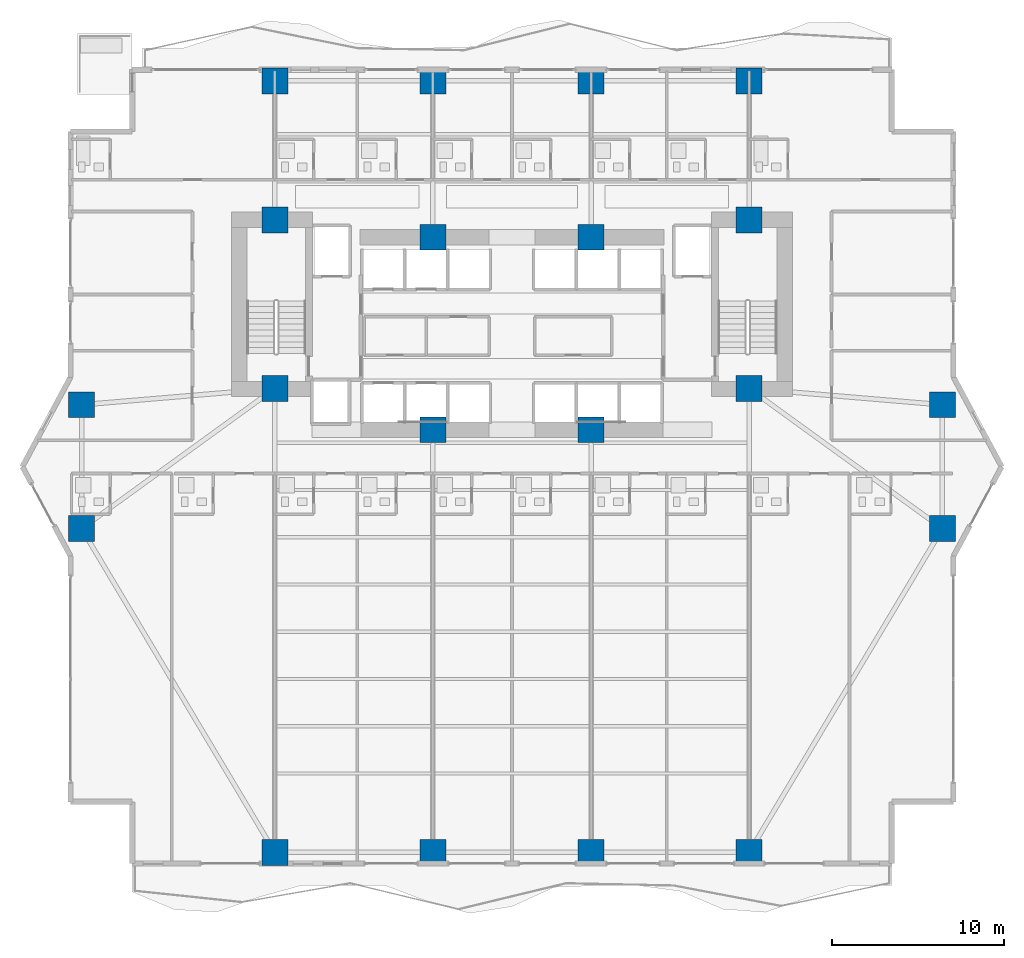
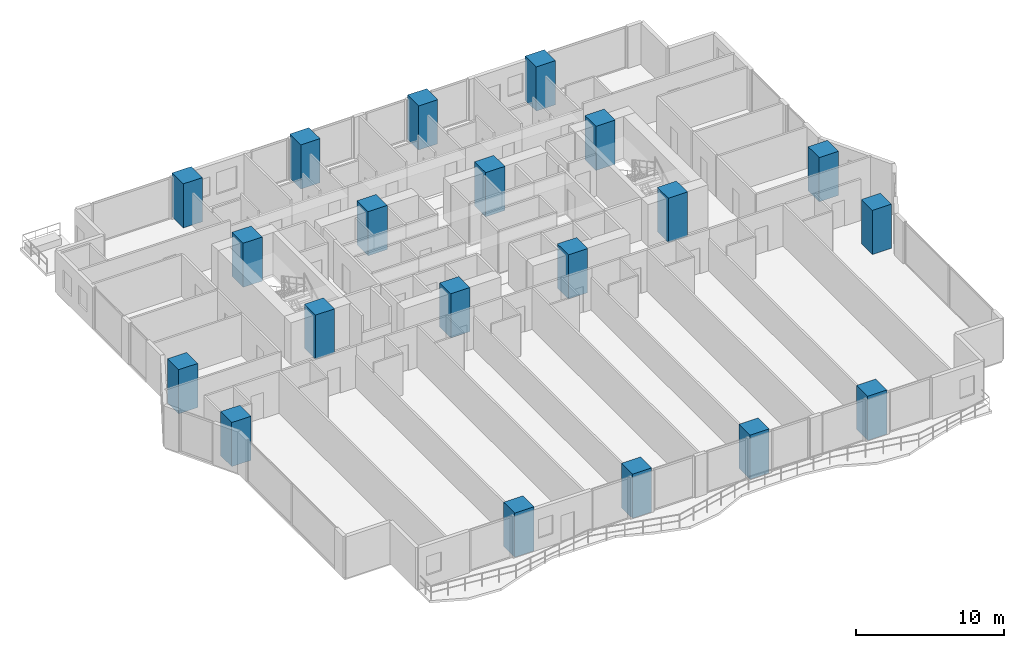
# One storey, part 1 of 29: 20 columns.
"""IFC4 building model written with IfcOpenShell, lengths in metres."""

from ifc_helpers import new_model, si_unit, direction, frame, origin, origin_2d, place, context, subcontext, project, spatial, rectangle, extrude, material, material_profile, profile_set, type_object, element, save


model = new_model("IFC4")

# Units and contexts
model_context = context("Model", 3, precision=1e-05, world=origin(), true_north=direction((0.0, 1.0)))
body_context = subcontext(model_context, "Body", "Model", "MODEL_VIEW")
ifc_project = project(units=[si_unit("LENGTHUNIT", "METRE"), si_unit("AREAUNIT", "SQUARE_METRE"), si_unit("VOLUMEUNIT", "CUBIC_METRE"), si_unit("PLANEANGLEUNIT", "RADIAN"), si_unit("MASSUNIT", "GRAM", prefix="KILO")], contexts=[model_context])

# Site, building, storey
site_placement = place(None, origin())
site = spatial("IfcSite", under=ifc_project, at=site_placement, CompositionType="ELEMENT")
building_placement = place(site_placement, origin())
building = spatial("IfcBuilding", under=site, at=building_placement, Name="Zuhayl Quay Hotel", CompositionType="ELEMENT")
storey_placement = place(building_placement, frame((0.0, 0.0, 64.10009765625)))
storey = spatial("IfcBuildingStorey", under=building, at=storey_placement, Name="L15", CompositionType="ELEMENT", Elevation=64.10009765625)

# Columns
ifc_material = material(Name="Concrete C70/85", Category="concrete")
ifc_material_profile_1 = material_profile(ifc_material, rectangle(XDim=1.5, YDim=1.5, at=origin_2d()), Name="RC1500X1500")
ifc_profile_set_1 = profile_set([ifc_material_profile_1], Name="Concrete C70/85")
column_type_1 = type_object("IfcColumnType", Name="CL_CC1_1500", PredefinedType="COLUMN", material=ifc_profile_set_1)
for number, where, z_axis, x_axis, name in (
    (1, (-13.800048828125, 14.35009765625, 0.0), (0.0, 0.0, 1.0), (1.0, 0.0, 0.0), "L15 Core Column CC_NW"),
    (2, (-4.60009765625, 13.35009765625, 0.0), (0.0, 0.0, 1.0), (1.0, 0.0, 0.0), "L15 Core Column CC_CNW"),
    (3, (4.60009765625, 13.35009765625, 0.0), (0.0, 0.0, 1.0), (1.0, 0.0, 0.0), "L15 Core Column CC_CNE"),
    (4, (13.800048828125, 14.35009765625, 0.0), (0.0, 0.0, 1.0), (1.0, 0.0, 0.0), "L15 Core Column CC_NE"),
    (5, (-13.800048828125, 4.550048828125, 0.0), (0.0, 0.0, 1.0), (1.0, 0.0, 0.0), "L15 Core Column CC_SW"),
    (6, (-4.60009765625, 2.14990234375, 0.0), (0.0, 0.0, 1.0), (1.0, 0.0, 0.0), "L15 Core Column CC_CSW"),
    (7, (4.60009765625, 2.14990234375, 0.0), (0.0, 0.0, 1.0), (1.0, 0.0, 0.0), "L15 Core Column CC_CSE"),
    (8, (13.800048828125, 4.550048828125, 0.0), (0.0, 0.0, 1.0), (1.0, 0.0, 0.0), "L15 Core Column CC_SE"),
):
    element("IfcColumn", number, at=place(storey_placement, frame(where, z_axis=z_axis, x_axis=x_axis)), inside=storey, type_object=column_type_1, Name=name, PredefinedType="COLUMN", context=body_context, shape_type="SweptSolid", body=[
        extrude(rectangle(XDim=1.5, YDim=1.5, at=origin_2d()), origin(), (0.0, 0.0, 1.0), 3.64990234375),
    ])
ifc_material_profile_2 = material_profile(ifc_material, rectangle(XDim=1.5, YDim=1.5, at=origin_2d()), Name="RC1500X1500")
ifc_profile_set_2 = profile_set([ifc_material_profile_2], Name="Concrete C70/85")
column_type_2 = type_object("IfcColumnType", Name="CL_MC1_1500", PredefinedType="COLUMN", material=ifc_profile_set_2)
for number, where, z_axis, x_axis, name in (
    (9, (-13.800048828125, -22.449951171875, 0.0), (0.0, 0.0, 1.0), (1.0, 0.0, 0.0), "L15 Mega-Column MC_S1"),
    (10, (-4.60009765625, -22.449951171875, 0.0), (0.0, 0.0, 1.0), (1.0, 0.0, 0.0), "L15 Mega-Column MC_S2"),
    (11, (4.60009765625, -22.449951171875, 0.0), (0.0, 0.0, 1.0), (1.0, 0.0, 0.0), "L15 Mega-Column MC_S3"),
    (12, (13.800048828125, -22.449951171875, 0.0), (0.0, 0.0, 1.0), (1.0, 0.0, 0.0), "L15 Mega-Column MC_S4"),
    (13, (-13.800048828125, 22.449951171875, 0.0), (0.0, 0.0, 1.0), (1.0, 0.0, 0.0), "L15 Mega-Column MC_N1"),
    (14, (-4.60009765625, 22.449951171875, 0.0), (0.0, 0.0, 1.0), (1.0, 0.0, 0.0), "L15 Mega-Column MC_N2"),
    (15, (4.60009765625, 22.449951171875, 0.0), (0.0, 0.0, 1.0), (1.0, 0.0, 0.0), "L15 Mega-Column MC_N3"),
    (16, (13.800048828125, 22.449951171875, 0.0), (0.0, 0.0, 1.0), (1.0, 0.0, 0.0), "L15 Mega-Column MC_N4"),
    (17, (-25.050048828125, -3.60009765625, 0.0), (0.0, 0.0, 1.0), (1.0, 0.0, 0.0), "L15 Mega-Column MC_W1"),
    (18, (-25.050048828125, 3.60009765625, 0.0), (0.0, 0.0, 1.0), (1.0, 0.0, 0.0), "L15 Mega-Column MC_W2"),
    (19, (25.050048828125, -3.60009765625, 0.0), (0.0, 0.0, 1.0), (1.0, 0.0, 0.0), "L15 Mega-Column MC_E1"),
    (20, (25.050048828125, 3.60009765625, 0.0), (0.0, 0.0, 1.0), (1.0, 0.0, 0.0), "L15 Mega-Column MC_E2"),
):
    element("IfcColumn", number, at=place(storey_placement, frame(where, z_axis=z_axis, x_axis=x_axis)), inside=storey, type_object=column_type_2, Name=name, PredefinedType="COLUMN", context=body_context, shape_type="SweptSolid", body=[
        extrude(rectangle(XDim=1.5, YDim=1.5, at=origin_2d()), origin(), (0.0, 0.0, 1.0), 3.64990234375),
    ])

save(model, "model.ifc")
